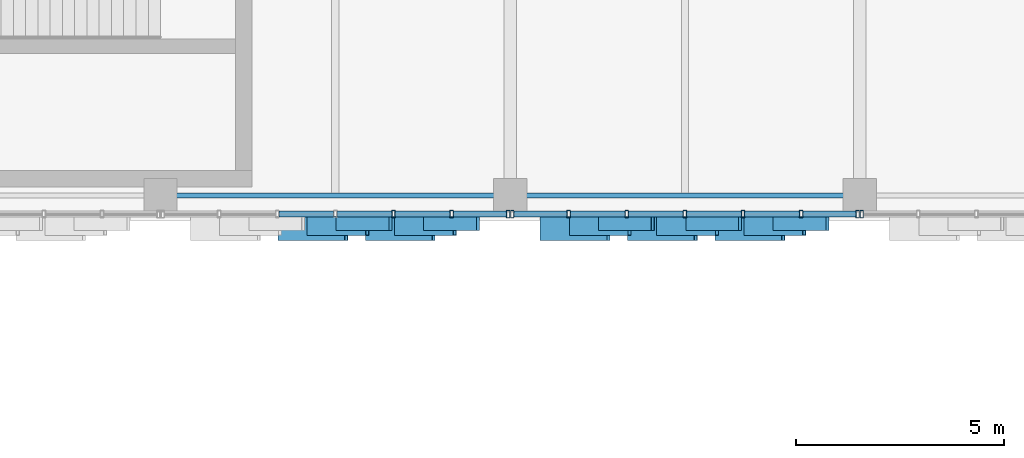
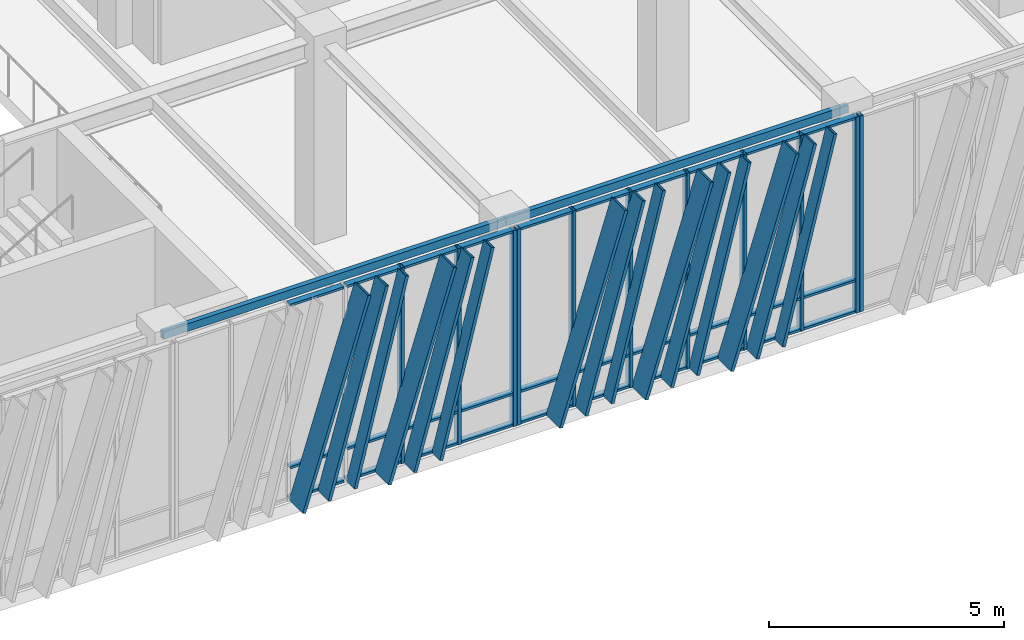
# One storey, part 14 of 139: 56 members, 2 beams, 3 elements without a shape of their own.
"""IFC4 building model written with IfcOpenShell, lengths in metres."""

from ifc_helpers import new_model, si_unit, direction, frame, origin, origin_2d, place, context, subcontext, project, spatial, hollow_rectangle, extrude, material, layer, layer_set, material_profile, profile_set, type_object, element, aggregate, save


model = new_model("IFC4")

# Units and contexts
model_context = context("Model", 3, precision=1e-05, world=origin(), true_north=direction((0.0, 1.0)))
body_context = subcontext(model_context, "Body", "Model", "MODEL_VIEW")
ifc_project = project(units=[si_unit("LENGTHUNIT", "METRE"), si_unit("AREAUNIT", "SQUARE_METRE"), si_unit("VOLUMEUNIT", "CUBIC_METRE"), si_unit("PLANEANGLEUNIT", "RADIAN"), si_unit("MASSUNIT", "GRAM", prefix="KILO")], contexts=[model_context])

# Site, building, storey
site_placement = place(None, origin())
site = spatial("IfcSite", under=ifc_project, at=site_placement, CompositionType="ELEMENT")
building_placement = place(site_placement, origin())
building = spatial("IfcBuilding", under=site, at=building_placement, Name="Zayran Congress Hotel", CompositionType="ELEMENT")
storey_placement = place(building_placement, frame((0.0, 0.0, 5.39990234375)))
storey = spatial("IfcBuildingStorey", under=building, at=storey_placement, Name="L01", CompositionType="ELEMENT", Elevation=5.39990234375)

# Beams
ifc_material_1 = material(Name="Steel S355", Category="steel")
ifc_material_profile_1 = material_profile(ifc_material_1, hollow_rectangle(XDim=0.1201171875, YDim=0.199951171875, WallThickness=0.008056640625, at=origin_2d()), Name="RHS 200x120x8")
ifc_profile_set_1 = profile_set([ifc_material_profile_1], Name="Steel S355")
beam_type = type_object("IfcBeamType", Name="TP-SP-02", PredefinedType="SPANDREL", material=ifc_profile_set_1)
beam_1_placement = place(storey_placement, frame((16.800048828125, 68.199951171875, 4.97998046875), z_axis=(1.0, 0.0, 0.0), x_axis=(0.0, 1.0, 0.0)))
element("IfcBeam", 1, at=beam_1_placement, inside=storey, type_object=beam_type, Name="BM-V1-L01-0514", PredefinedType="SPANDREL", context=body_context, shape_type="SweptSolid", body=[
    extrude(hollow_rectangle(XDim=0.1201171875, YDim=0.199951171875, WallThickness=0.008056640625, at=origin_2d()), origin(), (0.0, 0.0, 1.0), 8.39990234375),
])
beam_2_placement = place(storey_placement, frame((25.199951171875, 68.199951171875, 4.97998046875), z_axis=(1.0, 0.0, 0.0), x_axis=(0.0, 1.0, 0.0)))
element("IfcBeam", 2, at=beam_2_placement, inside=storey, type_object=beam_type, Name="BM-V1-L01-0515", PredefinedType="SPANDREL", context=body_context, shape_type="SweptSolid", body=[
    extrude(hollow_rectangle(XDim=0.1201171875, YDim=0.199951171875, WallThickness=0.008056640625, at=origin_2d()), origin(), (0.0, 0.0, 1.0), 8.400146484375),
])

# Curtain wall, members
ifc_material_2 = material(Name="Anodised aluminium and low-E insulated glass", Category="aluminium")
ifc_layer_1 = layer(ifc_material_2, 0.179931640625)
ifc_layer_set_1 = layer_set([ifc_layer_1], Name="Anodised aluminium and low-E insulated glass")
curtain_wall_type_1 = type_object("IfcCurtainWallType", Name="CW-V1S-L01-CW-12-8380-5080", PredefinedType="USERDEFINED", material=ifc_layer_set_1)
curtain_wall_1_placement = place(storey_placement, origin())
curtain_wall_1 = element("IfcCurtainWall", 3, at=curtain_wall_1_placement, inside=storey, type_object=curtain_wall_type_1, Name="CW-V1S-L01-1", ObjectType="CURTAIN WALL", PredefinedType="USERDEFINED")
ifc_material_3 = material(Name="Anodised aluminium framing", Category="aluminium")
ifc_material_profile_2 = material_profile(ifc_material_3, hollow_rectangle(XDim=0.080078125, YDim=0.179931640625, WallThickness=0.0048828125, at=origin_2d()), Name="RHS 180x80x5")
ifc_profile_set_2 = profile_set([ifc_material_profile_2], Name="Anodised aluminium framing")
member_type_1 = type_object("IfcMemberType", Name="TP-CWM-01", PredefinedType="MULLION", material=ifc_profile_set_2)
member_1_placement = place(storey_placement, frame((22.396728515625, 67.75, 0.0), z_axis=(0.0, 0.0, 1.0), x_axis=(1.0, 0.0, 0.0)))
member_1 = element("IfcMember", 4, at=member_1_placement, type_object=member_type_1, Name="CW-V1S-L01-1-M04", PredefinedType="MULLION", context=body_context, shape_type="SweptSolid", body=[
    extrude(hollow_rectangle(XDim=0.080078125, YDim=0.179931640625, WallThickness=0.0048828125, at=origin_2d()), origin(), (0.0, 0.0, 1.0), 5.080078125),
])
member_2_placement = place(storey_placement, frame((23.793212890625, 67.75, 0.0), z_axis=(0.0, 0.0, 1.0), x_axis=(1.0, 0.0, 0.0)))
member_2 = element("IfcMember", 5, at=member_2_placement, type_object=member_type_1, Name="CW-V1S-L01-1-M05", PredefinedType="MULLION", context=body_context, shape_type="SweptSolid", body=[
    extrude(hollow_rectangle(XDim=0.080078125, YDim=0.179931640625, WallThickness=0.0048828125, at=origin_2d()), origin(), (0.0, 0.0, 1.0), 5.080078125),
])
member_3_placement = place(storey_placement, frame((25.14990234375, 67.75, 0.0), z_axis=(0.0, 0.0, 1.0), x_axis=(1.0, 0.0, 0.0)))
member_3 = element("IfcMember", 6, at=member_3_placement, type_object=member_type_1, Name="CW-V1S-L01-1-M06", PredefinedType="MULLION", context=body_context, shape_type="SweptSolid", body=[
    extrude(hollow_rectangle(XDim=0.080078125, YDim=0.179931640625, WallThickness=0.0048828125, at=origin_2d()), origin(), (0.0, 0.0, 1.0), 5.080078125),
])

ifc_layer_2 = layer(ifc_material_2, 0.179931640625)
ifc_layer_set_2 = layer_set([ifc_layer_2], Name="Anodised aluminium and low-E insulated glass")
curtain_wall_type_2 = type_object("IfcCurtainWallType", Name="CW-V1S-L01-CW-13-8380-5080", PredefinedType="USERDEFINED", material=ifc_layer_set_2)
curtain_wall_2_placement = place(storey_placement, origin())
curtain_wall_2 = element("IfcCurtainWall", 7, at=curtain_wall_2_placement, inside=storey, type_object=curtain_wall_type_2, Name="CW-V1S-L01-2", ObjectType="CURTAIN WALL", PredefinedType="USERDEFINED")
member_4_placement = place(storey_placement, frame((25.25, 67.75, 0.0), z_axis=(0.0, 0.0, 1.0), x_axis=(1.0, 0.0, 0.0)))
member_4 = element("IfcMember", 8, at=member_4_placement, type_object=member_type_1, Name="CW-V1S-L01-2-M00", PredefinedType="MULLION", context=body_context, shape_type="SweptSolid", body=[
    extrude(hollow_rectangle(XDim=0.080078125, YDim=0.179931640625, WallThickness=0.0048828125, at=origin_2d()), origin(), (0.0, 0.0, 1.0), 5.080078125),
])
member_5_placement = place(storey_placement, frame((26.606689453125, 67.75, 0.0), z_axis=(0.0, 0.0, 1.0), x_axis=(1.0, 0.0, 0.0)))
member_5 = element("IfcMember", 9, at=member_5_placement, type_object=member_type_1, Name="CW-V1S-L01-2-M01", PredefinedType="MULLION", context=body_context, shape_type="SweptSolid", body=[
    extrude(hollow_rectangle(XDim=0.080078125, YDim=0.179931640625, WallThickness=0.0048828125, at=origin_2d()), origin(), (0.0, 0.0, 1.0), 5.080078125),
])
member_6_placement = place(storey_placement, frame((28.00341796875, 67.75, 0.0), z_axis=(0.0, 0.0, 1.0), x_axis=(1.0, 0.0, 0.0)))
member_6 = element("IfcMember", 10, at=member_6_placement, type_object=member_type_1, Name="CW-V1S-L01-2-M02", PredefinedType="MULLION", context=body_context, shape_type="SweptSolid", body=[
    extrude(hollow_rectangle(XDim=0.080078125, YDim=0.179931640625, WallThickness=0.0048828125, at=origin_2d()), origin(), (0.0, 0.0, 1.0), 5.080078125),
])
member_7_placement = place(storey_placement, frame((29.39990234375, 67.75, 0.0), z_axis=(0.0, 0.0, 1.0), x_axis=(1.0, 0.0, 0.0)))
member_7 = element("IfcMember", 11, at=member_7_placement, type_object=member_type_1, Name="CW-V1S-L01-2-M03", PredefinedType="MULLION", context=body_context, shape_type="SweptSolid", body=[
    extrude(hollow_rectangle(XDim=0.080078125, YDim=0.179931640625, WallThickness=0.0048828125, at=origin_2d()), origin(), (0.0, 0.0, 1.0), 5.080078125),
])
member_8_placement = place(storey_placement, frame((30.796630859375, 67.75, 0.0), z_axis=(0.0, 0.0, 1.0), x_axis=(1.0, 0.0, 0.0)))
member_8 = element("IfcMember", 12, at=member_8_placement, type_object=member_type_1, Name="CW-V1S-L01-2-M04", PredefinedType="MULLION", context=body_context, shape_type="SweptSolid", body=[
    extrude(hollow_rectangle(XDim=0.080078125, YDim=0.179931640625, WallThickness=0.0048828125, at=origin_2d()), origin(), (0.0, 0.0, 1.0), 5.080078125),
])
member_9_placement = place(storey_placement, frame((32.193359375, 67.75, 0.0), z_axis=(0.0, 0.0, 1.0), x_axis=(1.0, 0.0, 0.0)))
member_9 = element("IfcMember", 13, at=member_9_placement, type_object=member_type_1, Name="CW-V1S-L01-2-M05", PredefinedType="MULLION", context=body_context, shape_type="SweptSolid", body=[
    extrude(hollow_rectangle(XDim=0.080078125, YDim=0.179931640625, WallThickness=0.0048828125, at=origin_2d()), origin(), (0.0, 0.0, 1.0), 5.080078125),
])
member_10_placement = place(storey_placement, frame((33.550048828125, 67.75, 0.0), z_axis=(0.0, 0.0, 1.0), x_axis=(1.0, 0.0, 0.0)))
member_10 = element("IfcMember", 14, at=member_10_placement, type_object=member_type_1, Name="CW-V1S-L01-2-M06", PredefinedType="MULLION", context=body_context, shape_type="SweptSolid", body=[
    extrude(hollow_rectangle(XDim=0.080078125, YDim=0.179931640625, WallThickness=0.0048828125, at=origin_2d()), origin(), (0.0, 0.0, 1.0), 5.080078125),
])

# Curtain wall, member
ifc_layer_3 = layer(ifc_material_2, 0.179931640625)
ifc_layer_set_3 = layer_set([ifc_layer_3], Name="Anodised aluminium and low-E insulated glass")
curtain_wall_type_3 = type_object("IfcCurtainWallType", Name="CW-V1S-L01-CW-11-8380-5080", PredefinedType="USERDEFINED", material=ifc_layer_set_3)
curtain_wall_3_placement = place(storey_placement, origin())
curtain_wall_3 = element("IfcCurtainWall", 15, at=curtain_wall_3_placement, inside=storey, type_object=curtain_wall_type_3, Name="CW-V1S-L01-3", ObjectType="CURTAIN WALL", PredefinedType="USERDEFINED")
member_11_placement = place(storey_placement, frame((33.64990234375, 67.75, 0.0), z_axis=(0.0, 0.0, 1.0), x_axis=(1.0, 0.0, 0.0)))
member_11 = element("IfcMember", 16, at=member_11_placement, type_object=member_type_1, Name="CW-V1S-L01-3-M00", PredefinedType="MULLION", context=body_context, shape_type="SweptSolid", body=[
    extrude(hollow_rectangle(XDim=0.080078125, YDim=0.179931640625, WallThickness=0.0048828125, at=origin_2d()), origin(), (0.0, 0.0, 1.0), 5.080078125),
])
aggregate(curtain_wall_3, [member_11])

# Member
ifc_material_profile_3 = material_profile(ifc_material_3, hollow_rectangle(XDim=0.06005859375, YDim=0.14990234375, WallThickness=0.00390625, at=origin_2d()), Name="RHS 150x60x4")
ifc_profile_set_3 = profile_set([ifc_material_profile_3], Name="Anodised aluminium framing")
member_type_2 = type_object("IfcMemberType", Name="TP-CWT-01", PredefinedType="USERDEFINED", material=ifc_profile_set_3)
member_12_placement = place(storey_placement, frame((19.643310546875, 67.75, 0.030029296875), z_axis=(1.0, 0.0, 0.0), x_axis=(0.0, 0.0, 1.0)))
member_12 = element("IfcMember", 17, at=member_12_placement, type_object=member_type_2, Name="CW-V1S-L01-1-T02-0", ObjectType="TRANSOM", PredefinedType="USERDEFINED", context=body_context, shape_type="SweptSolid", body=[
    extrude(hollow_rectangle(XDim=0.06005859375, YDim=0.14990234375, WallThickness=0.00390625, at=origin_2d()), origin(), (0.0, 0.0, 1.0), 1.316650390625),
])

member_13_placement = place(storey_placement, frame((19.643310546875, 67.75, 0.840087890625), z_axis=(1.0, 0.0, 0.0), x_axis=(0.0, 0.0, 1.0)))
member_13 = element("IfcMember", 18, at=member_13_placement, type_object=member_type_2, Name="CW-V1S-L01-1-T02-1", ObjectType="TRANSOM", PredefinedType="USERDEFINED", context=body_context, shape_type="SweptSolid", body=[
    extrude(hollow_rectangle(XDim=0.06005859375, YDim=0.14990234375, WallThickness=0.00390625, at=origin_2d()), origin(), (0.0, 0.0, 1.0), 1.316650390625),
])

member_14_placement = place(storey_placement, frame((19.643310546875, 67.75, 5.050048828125), z_axis=(1.0, 0.0, 0.0), x_axis=(0.0, 0.0, 1.0)))
member_14 = element("IfcMember", 19, at=member_14_placement, type_object=member_type_2, Name="CW-V1S-L01-1-T02-2", ObjectType="TRANSOM", PredefinedType="USERDEFINED", context=body_context, shape_type="SweptSolid", body=[
    extrude(hollow_rectangle(XDim=0.06005859375, YDim=0.14990234375, WallThickness=0.00390625, at=origin_2d()), origin(), (0.0, 0.0, 1.0), 1.316650390625),
])

member_15_placement = place(storey_placement, frame((21.0400390625, 67.75, 0.030029296875), z_axis=(1.0, 0.0, 0.0), x_axis=(0.0, 0.0, 1.0)))
member_15 = element("IfcMember", 20, at=member_15_placement, type_object=member_type_2, Name="CW-V1S-L01-1-T03-0", ObjectType="TRANSOM", PredefinedType="USERDEFINED", context=body_context, shape_type="SweptSolid", body=[
    extrude(hollow_rectangle(XDim=0.06005859375, YDim=0.14990234375, WallThickness=0.00390625, at=origin_2d()), origin(), (0.0, 0.0, 1.0), 1.316650390625),
])

member_16_placement = place(storey_placement, frame((21.0400390625, 67.75, 0.840087890625), z_axis=(1.0, 0.0, 0.0), x_axis=(0.0, 0.0, 1.0)))
member_16 = element("IfcMember", 21, at=member_16_placement, type_object=member_type_2, Name="CW-V1S-L01-1-T03-1", ObjectType="TRANSOM", PredefinedType="USERDEFINED", context=body_context, shape_type="SweptSolid", body=[
    extrude(hollow_rectangle(XDim=0.06005859375, YDim=0.14990234375, WallThickness=0.00390625, at=origin_2d()), origin(), (0.0, 0.0, 1.0), 1.316650390625),
])

member_17_placement = place(storey_placement, frame((21.0400390625, 67.75, 5.050048828125), z_axis=(1.0, 0.0, 0.0), x_axis=(0.0, 0.0, 1.0)))
member_17 = element("IfcMember", 22, at=member_17_placement, type_object=member_type_2, Name="CW-V1S-L01-1-T03-2", ObjectType="TRANSOM", PredefinedType="USERDEFINED", context=body_context, shape_type="SweptSolid", body=[
    extrude(hollow_rectangle(XDim=0.06005859375, YDim=0.14990234375, WallThickness=0.00390625, at=origin_2d()), origin(), (0.0, 0.0, 1.0), 1.316650390625),
])

member_18_placement = place(storey_placement, frame((22.436767578125, 67.75, 0.030029296875), z_axis=(1.0, 0.0, 0.0), x_axis=(0.0, 0.0, 1.0)))
member_18 = element("IfcMember", 23, at=member_18_placement, type_object=member_type_2, Name="CW-V1S-L01-1-T04-0", ObjectType="TRANSOM", PredefinedType="USERDEFINED", context=body_context, shape_type="SweptSolid", body=[
    extrude(hollow_rectangle(XDim=0.06005859375, YDim=0.14990234375, WallThickness=0.00390625, at=origin_2d()), origin(), (0.0, 0.0, 1.0), 1.316650390625),
])

member_19_placement = place(storey_placement, frame((22.436767578125, 67.75, 0.840087890625), z_axis=(1.0, 0.0, 0.0), x_axis=(0.0, 0.0, 1.0)))
member_19 = element("IfcMember", 24, at=member_19_placement, type_object=member_type_2, Name="CW-V1S-L01-1-T04-1", ObjectType="TRANSOM", PredefinedType="USERDEFINED", context=body_context, shape_type="SweptSolid", body=[
    extrude(hollow_rectangle(XDim=0.06005859375, YDim=0.14990234375, WallThickness=0.00390625, at=origin_2d()), origin(), (0.0, 0.0, 1.0), 1.316650390625),
])

member_20_placement = place(storey_placement, frame((22.436767578125, 67.75, 5.050048828125), z_axis=(1.0, 0.0, 0.0), x_axis=(0.0, 0.0, 1.0)))
member_20 = element("IfcMember", 25, at=member_20_placement, type_object=member_type_2, Name="CW-V1S-L01-1-T04-2", ObjectType="TRANSOM", PredefinedType="USERDEFINED", context=body_context, shape_type="SweptSolid", body=[
    extrude(hollow_rectangle(XDim=0.06005859375, YDim=0.14990234375, WallThickness=0.00390625, at=origin_2d()), origin(), (0.0, 0.0, 1.0), 1.316650390625),
])

member_21_placement = place(storey_placement, frame((23.833251953125, 67.75, 0.030029296875), z_axis=(1.0, 0.0, 0.0), x_axis=(0.0, 0.0, 1.0)))
member_21 = element("IfcMember", 26, at=member_21_placement, type_object=member_type_2, Name="CW-V1S-L01-1-T05-0", ObjectType="TRANSOM", PredefinedType="USERDEFINED", context=body_context, shape_type="SweptSolid", body=[
    extrude(hollow_rectangle(XDim=0.06005859375, YDim=0.14990234375, WallThickness=0.00390625, at=origin_2d()), origin(), (0.0, 0.0, 1.0), 1.27685546875),
])

member_22_placement = place(storey_placement, frame((23.833251953125, 67.75, 0.840087890625), z_axis=(1.0, 0.0, 0.0), x_axis=(0.0, 0.0, 1.0)))
member_22 = element("IfcMember", 27, at=member_22_placement, type_object=member_type_2, Name="CW-V1S-L01-1-T05-1", ObjectType="TRANSOM", PredefinedType="USERDEFINED", context=body_context, shape_type="SweptSolid", body=[
    extrude(hollow_rectangle(XDim=0.06005859375, YDim=0.14990234375, WallThickness=0.00390625, at=origin_2d()), origin(), (0.0, 0.0, 1.0), 1.27685546875),
])

member_23_placement = place(storey_placement, frame((23.833251953125, 67.75, 5.050048828125), z_axis=(1.0, 0.0, 0.0), x_axis=(0.0, 0.0, 1.0)))
member_23 = element("IfcMember", 28, at=member_23_placement, type_object=member_type_2, Name="CW-V1S-L01-1-T05-2", ObjectType="TRANSOM", PredefinedType="USERDEFINED", context=body_context, shape_type="SweptSolid", body=[
    extrude(hollow_rectangle(XDim=0.06005859375, YDim=0.14990234375, WallThickness=0.00390625, at=origin_2d()), origin(), (0.0, 0.0, 1.0), 1.27685546875),
])

member_24_placement = place(storey_placement, frame((25.2900390625, 67.75, 0.030029296875), z_axis=(1.0, 0.0, 0.0), x_axis=(0.0, 0.0, 1.0)))
member_24 = element("IfcMember", 29, at=member_24_placement, type_object=member_type_2, Name="CW-V1S-L01-2-T00-0", ObjectType="TRANSOM", PredefinedType="USERDEFINED", context=body_context, shape_type="SweptSolid", body=[
    extrude(hollow_rectangle(XDim=0.06005859375, YDim=0.14990234375, WallThickness=0.00390625, at=origin_2d()), origin(), (0.0, 0.0, 1.0), 1.276611328125),
])

member_25_placement = place(storey_placement, frame((25.2900390625, 67.75, 0.840087890625), z_axis=(1.0, 0.0, 0.0), x_axis=(0.0, 0.0, 1.0)))
member_25 = element("IfcMember", 30, at=member_25_placement, type_object=member_type_2, Name="CW-V1S-L01-2-T00-1", ObjectType="TRANSOM", PredefinedType="USERDEFINED", context=body_context, shape_type="SweptSolid", body=[
    extrude(hollow_rectangle(XDim=0.06005859375, YDim=0.14990234375, WallThickness=0.00390625, at=origin_2d()), origin(), (0.0, 0.0, 1.0), 1.276611328125),
])

member_26_placement = place(storey_placement, frame((25.2900390625, 67.75, 5.050048828125), z_axis=(1.0, 0.0, 0.0), x_axis=(0.0, 0.0, 1.0)))
member_26 = element("IfcMember", 31, at=member_26_placement, type_object=member_type_2, Name="CW-V1S-L01-2-T00-2", ObjectType="TRANSOM", PredefinedType="USERDEFINED", context=body_context, shape_type="SweptSolid", body=[
    extrude(hollow_rectangle(XDim=0.06005859375, YDim=0.14990234375, WallThickness=0.00390625, at=origin_2d()), origin(), (0.0, 0.0, 1.0), 1.276611328125),
])

member_27_placement = place(storey_placement, frame((26.646728515625, 67.75, 0.030029296875), z_axis=(1.0, 0.0, 0.0), x_axis=(0.0, 0.0, 1.0)))
member_27 = element("IfcMember", 32, at=member_27_placement, type_object=member_type_2, Name="CW-V1S-L01-2-T01-0", ObjectType="TRANSOM", PredefinedType="USERDEFINED", context=body_context, shape_type="SweptSolid", body=[
    extrude(hollow_rectangle(XDim=0.06005859375, YDim=0.14990234375, WallThickness=0.00390625, at=origin_2d()), origin(), (0.0, 0.0, 1.0), 1.316650390625),
])

member_28_placement = place(storey_placement, frame((26.646728515625, 67.75, 0.840087890625), z_axis=(1.0, 0.0, 0.0), x_axis=(0.0, 0.0, 1.0)))
member_28 = element("IfcMember", 33, at=member_28_placement, type_object=member_type_2, Name="CW-V1S-L01-2-T01-1", ObjectType="TRANSOM", PredefinedType="USERDEFINED", context=body_context, shape_type="SweptSolid", body=[
    extrude(hollow_rectangle(XDim=0.06005859375, YDim=0.14990234375, WallThickness=0.00390625, at=origin_2d()), origin(), (0.0, 0.0, 1.0), 1.316650390625),
])

member_29_placement = place(storey_placement, frame((26.646728515625, 67.75, 5.050048828125), z_axis=(1.0, 0.0, 0.0), x_axis=(0.0, 0.0, 1.0)))
member_29 = element("IfcMember", 34, at=member_29_placement, type_object=member_type_2, Name="CW-V1S-L01-2-T01-2", ObjectType="TRANSOM", PredefinedType="USERDEFINED", context=body_context, shape_type="SweptSolid", body=[
    extrude(hollow_rectangle(XDim=0.06005859375, YDim=0.14990234375, WallThickness=0.00390625, at=origin_2d()), origin(), (0.0, 0.0, 1.0), 1.316650390625),
])

member_30_placement = place(storey_placement, frame((28.043212890625, 67.75, 0.030029296875), z_axis=(1.0, 0.0, 0.0), x_axis=(0.0, 0.0, 1.0)))
member_30 = element("IfcMember", 35, at=member_30_placement, type_object=member_type_2, Name="CW-V1S-L01-2-T02-0", ObjectType="TRANSOM", PredefinedType="USERDEFINED", context=body_context, shape_type="SweptSolid", body=[
    extrude(hollow_rectangle(XDim=0.06005859375, YDim=0.14990234375, WallThickness=0.00390625, at=origin_2d()), origin(), (0.0, 0.0, 1.0), 1.31689453125),
])

member_31_placement = place(storey_placement, frame((28.043212890625, 67.75, 0.840087890625), z_axis=(1.0, 0.0, 0.0), x_axis=(0.0, 0.0, 1.0)))
member_31 = element("IfcMember", 36, at=member_31_placement, type_object=member_type_2, Name="CW-V1S-L01-2-T02-1", ObjectType="TRANSOM", PredefinedType="USERDEFINED", context=body_context, shape_type="SweptSolid", body=[
    extrude(hollow_rectangle(XDim=0.06005859375, YDim=0.14990234375, WallThickness=0.00390625, at=origin_2d()), origin(), (0.0, 0.0, 1.0), 1.31689453125),
])

member_32_placement = place(storey_placement, frame((28.043212890625, 67.75, 5.050048828125), z_axis=(1.0, 0.0, 0.0), x_axis=(0.0, 0.0, 1.0)))
member_32 = element("IfcMember", 37, at=member_32_placement, type_object=member_type_2, Name="CW-V1S-L01-2-T02-2", ObjectType="TRANSOM", PredefinedType="USERDEFINED", context=body_context, shape_type="SweptSolid", body=[
    extrude(hollow_rectangle(XDim=0.06005859375, YDim=0.14990234375, WallThickness=0.00390625, at=origin_2d()), origin(), (0.0, 0.0, 1.0), 1.31689453125),
])

member_33_placement = place(storey_placement, frame((29.43994140625, 67.75, 0.030029296875), z_axis=(1.0, 0.0, 0.0), x_axis=(0.0, 0.0, 1.0)))
member_33 = element("IfcMember", 38, at=member_33_placement, type_object=member_type_2, Name="CW-V1S-L01-2-T03-0", ObjectType="TRANSOM", PredefinedType="USERDEFINED", context=body_context, shape_type="SweptSolid", body=[
    extrude(hollow_rectangle(XDim=0.06005859375, YDim=0.14990234375, WallThickness=0.00390625, at=origin_2d()), origin(), (0.0, 0.0, 1.0), 1.316650390625),
])

member_34_placement = place(storey_placement, frame((29.43994140625, 67.75, 0.840087890625), z_axis=(1.0, 0.0, 0.0), x_axis=(0.0, 0.0, 1.0)))
member_34 = element("IfcMember", 39, at=member_34_placement, type_object=member_type_2, Name="CW-V1S-L01-2-T03-1", ObjectType="TRANSOM", PredefinedType="USERDEFINED", context=body_context, shape_type="SweptSolid", body=[
    extrude(hollow_rectangle(XDim=0.06005859375, YDim=0.14990234375, WallThickness=0.00390625, at=origin_2d()), origin(), (0.0, 0.0, 1.0), 1.316650390625),
])

member_35_placement = place(storey_placement, frame((29.43994140625, 67.75, 5.050048828125), z_axis=(1.0, 0.0, 0.0), x_axis=(0.0, 0.0, 1.0)))
member_35 = element("IfcMember", 40, at=member_35_placement, type_object=member_type_2, Name="CW-V1S-L01-2-T03-2", ObjectType="TRANSOM", PredefinedType="USERDEFINED", context=body_context, shape_type="SweptSolid", body=[
    extrude(hollow_rectangle(XDim=0.06005859375, YDim=0.14990234375, WallThickness=0.00390625, at=origin_2d()), origin(), (0.0, 0.0, 1.0), 1.316650390625),
])

member_36_placement = place(storey_placement, frame((30.836669921875, 67.75, 0.030029296875), z_axis=(1.0, 0.0, 0.0), x_axis=(0.0, 0.0, 1.0)))
member_36 = element("IfcMember", 41, at=member_36_placement, type_object=member_type_2, Name="CW-V1S-L01-2-T04-0", ObjectType="TRANSOM", PredefinedType="USERDEFINED", context=body_context, shape_type="SweptSolid", body=[
    extrude(hollow_rectangle(XDim=0.06005859375, YDim=0.14990234375, WallThickness=0.00390625, at=origin_2d()), origin(), (0.0, 0.0, 1.0), 1.316650390625),
])

member_37_placement = place(storey_placement, frame((30.836669921875, 67.75, 0.840087890625), z_axis=(1.0, 0.0, 0.0), x_axis=(0.0, 0.0, 1.0)))
member_37 = element("IfcMember", 42, at=member_37_placement, type_object=member_type_2, Name="CW-V1S-L01-2-T04-1", ObjectType="TRANSOM", PredefinedType="USERDEFINED", context=body_context, shape_type="SweptSolid", body=[
    extrude(hollow_rectangle(XDim=0.06005859375, YDim=0.14990234375, WallThickness=0.00390625, at=origin_2d()), origin(), (0.0, 0.0, 1.0), 1.316650390625),
])

member_38_placement = place(storey_placement, frame((30.836669921875, 67.75, 5.050048828125), z_axis=(1.0, 0.0, 0.0), x_axis=(0.0, 0.0, 1.0)))
member_38 = element("IfcMember", 43, at=member_38_placement, type_object=member_type_2, Name="CW-V1S-L01-2-T04-2", ObjectType="TRANSOM", PredefinedType="USERDEFINED", context=body_context, shape_type="SweptSolid", body=[
    extrude(hollow_rectangle(XDim=0.06005859375, YDim=0.14990234375, WallThickness=0.00390625, at=origin_2d()), origin(), (0.0, 0.0, 1.0), 1.316650390625),
])

member_39_placement = place(storey_placement, frame((32.2333984375, 67.75, 0.030029296875), z_axis=(1.0, 0.0, 0.0), x_axis=(0.0, 0.0, 1.0)))
member_39 = element("IfcMember", 44, at=member_39_placement, type_object=member_type_2, Name="CW-V1S-L01-2-T05-0", ObjectType="TRANSOM", PredefinedType="USERDEFINED", context=body_context, shape_type="SweptSolid", body=[
    extrude(hollow_rectangle(XDim=0.06005859375, YDim=0.14990234375, WallThickness=0.00390625, at=origin_2d()), origin(), (0.0, 0.0, 1.0), 1.276611328125),
])

member_40_placement = place(storey_placement, frame((32.2333984375, 67.75, 0.840087890625), z_axis=(1.0, 0.0, 0.0), x_axis=(0.0, 0.0, 1.0)))
member_40 = element("IfcMember", 45, at=member_40_placement, type_object=member_type_2, Name="CW-V1S-L01-2-T05-1", ObjectType="TRANSOM", PredefinedType="USERDEFINED", context=body_context, shape_type="SweptSolid", body=[
    extrude(hollow_rectangle(XDim=0.06005859375, YDim=0.14990234375, WallThickness=0.00390625, at=origin_2d()), origin(), (0.0, 0.0, 1.0), 1.276611328125),
])

member_41_placement = place(storey_placement, frame((32.2333984375, 67.75, 5.050048828125), z_axis=(1.0, 0.0, 0.0), x_axis=(0.0, 0.0, 1.0)))
member_41 = element("IfcMember", 46, at=member_41_placement, type_object=member_type_2, Name="CW-V1S-L01-2-T05-2", ObjectType="TRANSOM", PredefinedType="USERDEFINED", context=body_context, shape_type="SweptSolid", body=[
    extrude(hollow_rectangle(XDim=0.06005859375, YDim=0.14990234375, WallThickness=0.00390625, at=origin_2d()), origin(), (0.0, 0.0, 1.0), 1.276611328125),
])

ifc_material_4 = material(Name="Warm bronze anodised aluminium", Category="aluminium")
ifc_material_profile_4 = material_profile(ifc_material_4, hollow_rectangle(XDim=0.080078125, YDim=0.580078125, WallThickness=0.006103515625, at=origin_2d()), Name="RHS 580x80x6")
ifc_profile_set_4 = profile_set([ifc_material_profile_4], Name="Warm bronze anodised aluminium")
member_type_3 = type_object("IfcMemberType", Name="TP-RFN-01", PredefinedType="MULLION", material=ifc_profile_set_4)
member_42_placement = place(storey_placement, frame((19.659912109375, 67.39990234375, 0.0), z_axis=(0.300716755525, 0.0, 0.953713496259), x_axis=(-0.953713496259, 0.0, 0.300716755525)))
member_42 = element("IfcMember", 47, at=member_42_placement, type_object=member_type_3, Name="Slanting Reed Mullion CW-12-04", PredefinedType="MULLION", context=body_context, shape_type="SweptSolid", body=[
    extrude(hollow_rectangle(XDim=0.080078125, YDim=0.580078125, WallThickness=0.006103515625, at=origin_2d()), origin(), (0.0, 0.0, 1.0), 5.32666015625),
])

member_43_placement = place(storey_placement, frame((21.760009765625, 67.39990234375, 0.0), z_axis=(0.300716755525, 0.0, 0.953713496259), x_axis=(-0.953713496259, 0.0, 0.300716755525)))
member_43 = element("IfcMember", 48, at=member_43_placement, type_object=member_type_3, Name="Slanting Reed Mullion CW-12-07", PredefinedType="MULLION", context=body_context, shape_type="SweptSolid", body=[
    extrude(hollow_rectangle(XDim=0.080078125, YDim=0.580078125, WallThickness=0.006103515625, at=origin_2d()), origin(), (0.0, 0.0, 1.0), 5.32666015625),
])

member_44_placement = place(storey_placement, frame((25.9599609375, 67.39990234375, 0.0), z_axis=(0.300716755525, 0.0, 0.953713496259), x_axis=(-0.953713496259, 0.0, 0.300716755525)))
member_44 = element("IfcMember", 49, at=member_44_placement, type_object=member_type_3, Name="Slanting Reed Mullion CW-13-01", PredefinedType="MULLION", context=body_context, shape_type="SweptSolid", body=[
    extrude(hollow_rectangle(XDim=0.080078125, YDim=0.580078125, WallThickness=0.006103515625, at=origin_2d()), origin(), (0.0, 0.0, 1.0), 5.32666015625),
])

member_45_placement = place(storey_placement, frame((28.06005859375, 67.39990234375, 0.0), z_axis=(0.300675065474, 0.0, 0.953726640606), x_axis=(-0.953726640606, 0.0, 0.300675065474)))
member_45 = element("IfcMember", 50, at=member_45_placement, type_object=member_type_3, Name="Slanting Reed Mullion CW-13-04", PredefinedType="MULLION", context=body_context, shape_type="SweptSolid", body=[
    extrude(hollow_rectangle(XDim=0.080078125, YDim=0.580078125, WallThickness=0.006103515625, at=origin_2d()), origin(), (0.0, 0.0, 1.0), 5.32666015625),
])

member_46_placement = place(storey_placement, frame((30.159912109375, 67.39990234375, 0.0), z_axis=(0.300716755525, 0.0, 0.953713496259), x_axis=(-0.953713496259, 0.0, 0.300716755525)))
member_46 = element("IfcMember", 51, at=member_46_placement, type_object=member_type_3, Name="Slanting Reed Mullion CW-13-07", PredefinedType="MULLION", context=body_context, shape_type="SweptSolid", body=[
    extrude(hollow_rectangle(XDim=0.080078125, YDim=0.580078125, WallThickness=0.006103515625, at=origin_2d()), origin(), (0.0, 0.0, 1.0), 5.32666015625),
])

ifc_material_profile_5 = material_profile(ifc_material_4, hollow_rectangle(XDim=0.080078125, YDim=0.449951171875, WallThickness=0.006103515625, at=origin_2d()), Name="RHS 450x80x6")
ifc_profile_set_5 = profile_set([ifc_material_profile_5], Name="Warm bronze anodised aluminium")
member_type_4 = type_object("IfcMemberType", Name="TP-RFN-02", PredefinedType="MULLION", material=ifc_profile_set_5)
member_47_placement = place(storey_placement, frame((20.360107421875, 67.465087890625, 0.0), z_axis=(0.267213902124, 0.0, 0.963637240102), x_axis=(-0.963637240102, 0.0, 0.267213902124)))
member_47 = element("IfcMember", 52, at=member_47_placement, type_object=member_type_4, Name="Slanting Reed Mullion CW-12-05", PredefinedType="MULLION", context=body_context, shape_type="SweptSolid", body=[
    extrude(hollow_rectangle(XDim=0.080078125, YDim=0.449951171875, WallThickness=0.006103515625, at=origin_2d()), origin(), (0.0, 0.0, 1.0), 5.271728515625),
])

member_48_placement = place(storey_placement, frame((22.4599609375, 67.465087890625, 0.0), z_axis=(0.267256905477, 0.0, 0.96362531436), x_axis=(-0.96362531436, 0.0, 0.267256905477)))
member_48 = element("IfcMember", 53, at=member_48_placement, type_object=member_type_4, Name="Slanting Reed Mullion CW-12-08", PredefinedType="MULLION", context=body_context, shape_type="SweptSolid", body=[
    extrude(hollow_rectangle(XDim=0.080078125, YDim=0.449951171875, WallThickness=0.006103515625, at=origin_2d()), origin(), (0.0, 0.0, 1.0), 5.271728515625),
])

member_49_placement = place(storey_placement, frame((26.659912109375, 67.465087890625, 0.0), z_axis=(0.267256905477, 0.0, 0.96362531436), x_axis=(-0.96362531436, 0.0, 0.267256905477)))
member_49 = element("IfcMember", 54, at=member_49_placement, type_object=member_type_4, Name="Slanting Reed Mullion CW-13-02", PredefinedType="MULLION", context=body_context, shape_type="SweptSolid", body=[
    extrude(hollow_rectangle(XDim=0.080078125, YDim=0.449951171875, WallThickness=0.006103515625, at=origin_2d()), origin(), (0.0, 0.0, 1.0), 5.271728515625),
])

member_50_placement = place(storey_placement, frame((28.760009765625, 67.465087890625, 0.0), z_axis=(0.267213902124, 0.0, 0.963637240102), x_axis=(-0.963637240102, 0.0, 0.267213902124)))
member_50 = element("IfcMember", 55, at=member_50_placement, type_object=member_type_4, Name="Slanting Reed Mullion CW-13-05", PredefinedType="MULLION", context=body_context, shape_type="SweptSolid", body=[
    extrude(hollow_rectangle(XDim=0.080078125, YDim=0.449951171875, WallThickness=0.006103515625, at=origin_2d()), origin(), (0.0, 0.0, 1.0), 5.271728515625),
])

member_51_placement = place(storey_placement, frame((30.860107421875, 67.465087890625, 0.0), z_axis=(0.267213902124, 0.0, 0.963637240102), x_axis=(-0.963637240102, 0.0, 0.267213902124)))
member_51 = element("IfcMember", 56, at=member_51_placement, type_object=member_type_4, Name="Slanting Reed Mullion CW-13-08", PredefinedType="MULLION", context=body_context, shape_type="SweptSolid", body=[
    extrude(hollow_rectangle(XDim=0.080078125, YDim=0.449951171875, WallThickness=0.006103515625, at=origin_2d()), origin(), (0.0, 0.0, 1.0), 5.271728515625),
])

ifc_material_profile_6 = material_profile(ifc_material_4, hollow_rectangle(XDim=0.080078125, YDim=0.340087890625, WallThickness=0.006103515625, at=origin_2d()), Name="RHS 340x80x6")
ifc_profile_set_6 = profile_set([ifc_material_profile_6], Name="Warm bronze anodised aluminium")
member_type_5 = type_object("IfcMemberType", Name="TP-RFN-03", PredefinedType="MULLION", material=ifc_profile_set_6)
member_52_placement = place(storey_placement, frame((21.06005859375, 67.52001953125, 0.0), z_axis=(0.241921145618, 0.0, 0.970295913267), x_axis=(-0.970295913267, 0.0, 0.241921145618)))
member_52 = element("IfcMember", 57, at=member_52_placement, type_object=member_type_5, Name="Slanting Reed Mullion CW-12-06", PredefinedType="MULLION", context=body_context, shape_type="SweptSolid", body=[
    extrude(hollow_rectangle(XDim=0.080078125, YDim=0.340087890625, WallThickness=0.006103515625, at=origin_2d()), origin(), (0.0, 0.0, 1.0), 5.235595703125),
])

member_53_placement = place(storey_placement, frame((23.159912109375, 67.52001953125, 0.0), z_axis=(0.241921145618, 0.0, 0.970295913267), x_axis=(-0.970295913267, 0.0, 0.241921145618)))
member_53 = element("IfcMember", 58, at=member_53_placement, type_object=member_type_5, Name="Slanting Reed Mullion CW-12-09", PredefinedType="MULLION", context=body_context, shape_type="SweptSolid", body=[
    extrude(hollow_rectangle(XDim=0.080078125, YDim=0.340087890625, WallThickness=0.006103515625, at=origin_2d()), origin(), (0.0, 0.0, 1.0), 5.235595703125),
])

aggregate(curtain_wall_1, [member_1, member_2, member_3, member_12, member_13, member_14, member_15, member_16, member_17, member_18, member_19, member_20, member_21, member_22, member_23, member_42, member_47, member_52, member_43, member_48, member_53])

member_54_placement = place(storey_placement, frame((27.360107421875, 67.52001953125, 0.0), z_axis=(0.241921145618, 0.0, 0.970295913267), x_axis=(-0.970295913267, 0.0, 0.241921145618)))
member_54 = element("IfcMember", 59, at=member_54_placement, type_object=member_type_5, Name="Slanting Reed Mullion CW-13-03", PredefinedType="MULLION", context=body_context, shape_type="SweptSolid", body=[
    extrude(hollow_rectangle(XDim=0.080078125, YDim=0.340087890625, WallThickness=0.006103515625, at=origin_2d()), origin(), (0.0, 0.0, 1.0), 5.235595703125),
])

member_55_placement = place(storey_placement, frame((29.4599609375, 67.52001953125, 0.0), z_axis=(0.241921145618, 0.0, 0.970295913267), x_axis=(-0.970295913267, 0.0, 0.241921145618)))
member_55 = element("IfcMember", 60, at=member_55_placement, type_object=member_type_5, Name="Slanting Reed Mullion CW-13-06", PredefinedType="MULLION", context=body_context, shape_type="SweptSolid", body=[
    extrude(hollow_rectangle(XDim=0.080078125, YDim=0.340087890625, WallThickness=0.006103515625, at=origin_2d()), origin(), (0.0, 0.0, 1.0), 5.235595703125),
])

member_56_placement = place(storey_placement, frame((31.56005859375, 67.52001953125, 0.0), z_axis=(0.241921145618, 0.0, 0.970295913267), x_axis=(-0.970295913267, 0.0, 0.241921145618)))
member_56 = element("IfcMember", 61, at=member_56_placement, type_object=member_type_5, Name="Slanting Reed Mullion CW-13-09", PredefinedType="MULLION", context=body_context, shape_type="SweptSolid", body=[
    extrude(hollow_rectangle(XDim=0.080078125, YDim=0.340087890625, WallThickness=0.006103515625, at=origin_2d()), origin(), (0.0, 0.0, 1.0), 5.235595703125),
])

aggregate(curtain_wall_2, [member_4, member_5, member_6, member_7, member_8, member_9, member_10, member_24, member_25, member_26, member_27, member_28, member_29, member_30, member_31, member_32, member_33, member_34, member_35, member_36, member_37, member_38, member_39, member_40, member_41, member_44, member_49, member_54, member_45, member_50, member_55, member_46, member_51, member_56])

save(model, "model.ifc")
